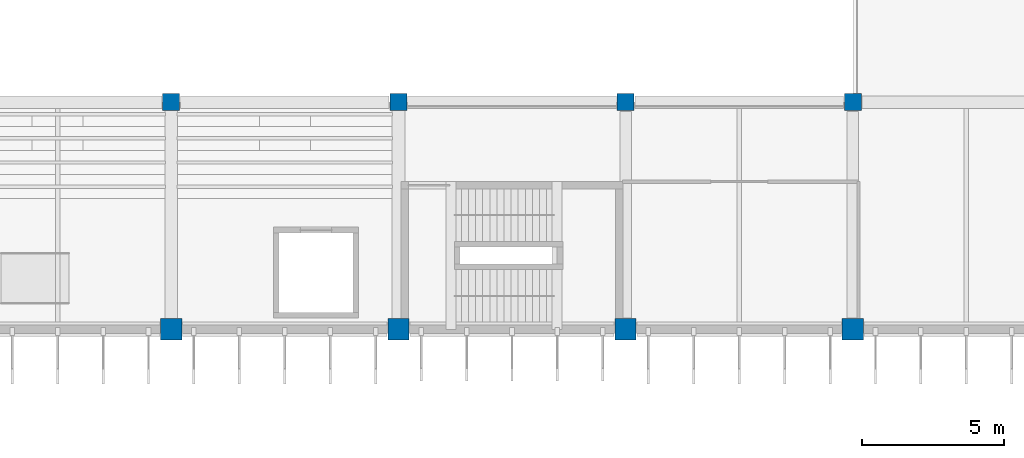
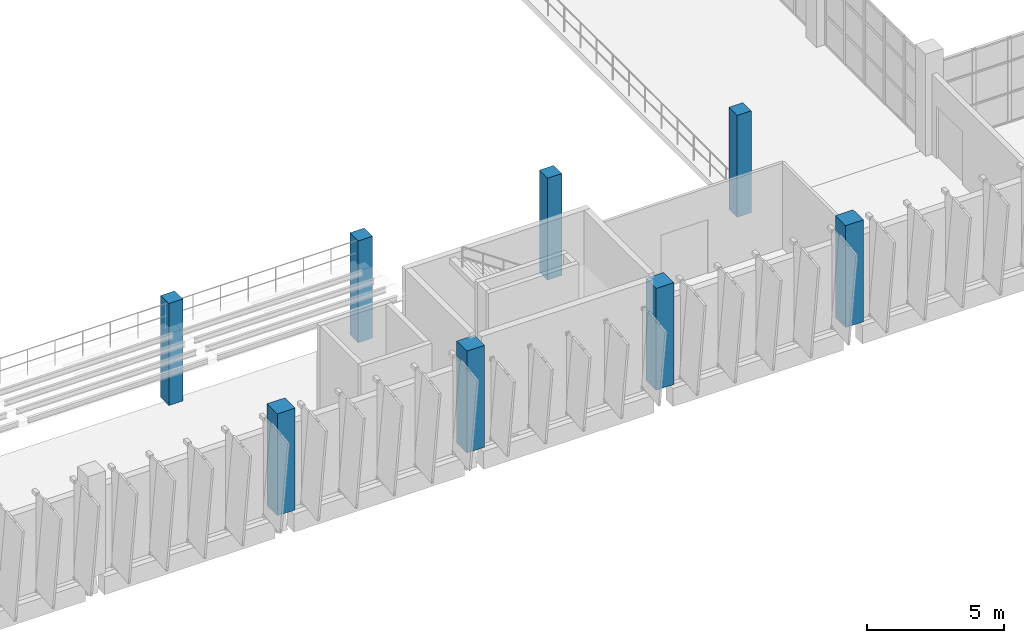
# One storey, part 4 of 93: 8 columns.
"""IFC4 building model written with IfcOpenShell, lengths in metres."""

from ifc_helpers import new_model, si_unit, direction, frame, origin, origin_2d, place, context, subcontext, project, spatial, rectangle, extrude, material, material_profile, profile_set, type_object, element, save


model = new_model("IFC4")

# Units and contexts
model_context = context("Model", 3, precision=1e-05, world=origin(), true_north=direction((0.0, 1.0)))
body_context = subcontext(model_context, "Body", "Model", "MODEL_VIEW")
ifc_project = project(units=[si_unit("LENGTHUNIT", "METRE"), si_unit("AREAUNIT", "SQUARE_METRE"), si_unit("VOLUMEUNIT", "CUBIC_METRE"), si_unit("PLANEANGLEUNIT", "RADIAN"), si_unit("MASSUNIT", "GRAM", prefix="KILO")], contexts=[model_context])

# Site, building, storey
site_placement = place(None, origin())
site = spatial("IfcSite", under=ifc_project, at=site_placement, CompositionType="ELEMENT")
building_placement = place(site_placement, origin())
building = spatial("IfcBuilding", under=site, at=building_placement, Name="Drelvana Railside Aquatics Centre", CompositionType="ELEMENT")
storey_placement = place(building_placement, frame((0.0, 0.0, 5.39990234375)))
storey = spatial("IfcBuildingStorey", under=building, at=storey_placement, Name="L01", CompositionType="ELEMENT", Elevation=5.39990234375)

# Columns
ifc_material = material(Name="Concrete C40/50", Category="concrete")
ifc_material_profile_1 = material_profile(ifc_material, rectangle(XDim=0.60009765625, YDim=0.60009765625, at=origin_2d()), Name="RC 600x600")
ifc_profile_set_1 = profile_set([ifc_material_profile_1], Name="Concrete C40/50")
column_type_1 = type_object("IfcColumnType", Name="STR-COL-RC-600x600", PredefinedType="COLUMN", material=ifc_profile_set_1)
for number, where, z_axis, x_axis, name in (
    (1, (64.0, 24.0, 0.0), (0.0, 0.0, 1.0), (1.0, 0.0, 0.0), "Column C-04 (L01)"),
    (2, (72.0, 24.0, 0.0), (0.0, 0.0, 1.0), (1.0, 0.0, 0.0), "Column C-04 (L01)"),
    (3, (80.0, 24.0, 0.0), (0.0, 0.0, 1.0), (1.0, 0.0, 0.0), "Column C-04 (L01)"),
    (4, (88.0, 24.0, 0.0), (0.0, 0.0, 1.0), (1.0, 0.0, 0.0), "Column C-04 (L01)"),
):
    element("IfcColumn", number, at=place(storey_placement, frame(where, z_axis=z_axis, x_axis=x_axis)), inside=storey, type_object=column_type_1, Name=name, PredefinedType="COLUMN", context=body_context, shape_type="SweptSolid", body=[
        extrude(rectangle(XDim=0.60009765625, YDim=0.60009765625, at=origin_2d()), origin(), (0.0, 0.0, 1.0), 4.550048828125),
    ])
ifc_material_profile_2 = material_profile(ifc_material, rectangle(XDim=0.75, YDim=0.75, at=origin_2d()), Name="RC 750x750")
ifc_profile_set_2 = profile_set([ifc_material_profile_2], Name="Concrete C40/50")
column_type_2 = type_object("IfcColumnType", Name="STR-COL-RC-750x750", PredefinedType="COLUMN", material=ifc_profile_set_2)
for number, where, z_axis, x_axis, name in (
    (5, (64.0, 16.0, 0.0), (0.0, 0.0, 1.0), (1.0, 0.0, 0.0), "Column C-07 (L01)"),
    (6, (72.0, 16.0, 0.0), (0.0, 0.0, 1.0), (1.0, 0.0, 0.0), "Column C-07 (L01)"),
    (7, (80.0, 16.0, 0.0), (0.0, 0.0, 1.0), (1.0, 0.0, 0.0), "Column C-07 (L01)"),
    (8, (88.0, 16.0, 0.0), (0.0, 0.0, 1.0), (1.0, 0.0, 0.0), "Column C-07 (L01)"),
):
    element("IfcColumn", number, at=place(storey_placement, frame(where, z_axis=z_axis, x_axis=x_axis)), inside=storey, type_object=column_type_2, Name=name, PredefinedType="COLUMN", context=body_context, shape_type="SweptSolid", body=[
        extrude(rectangle(XDim=0.75, YDim=0.75, at=origin_2d()), origin(), (0.0, 0.0, 1.0), 4.550048828125),
    ])

save(model, "model.ifc")
